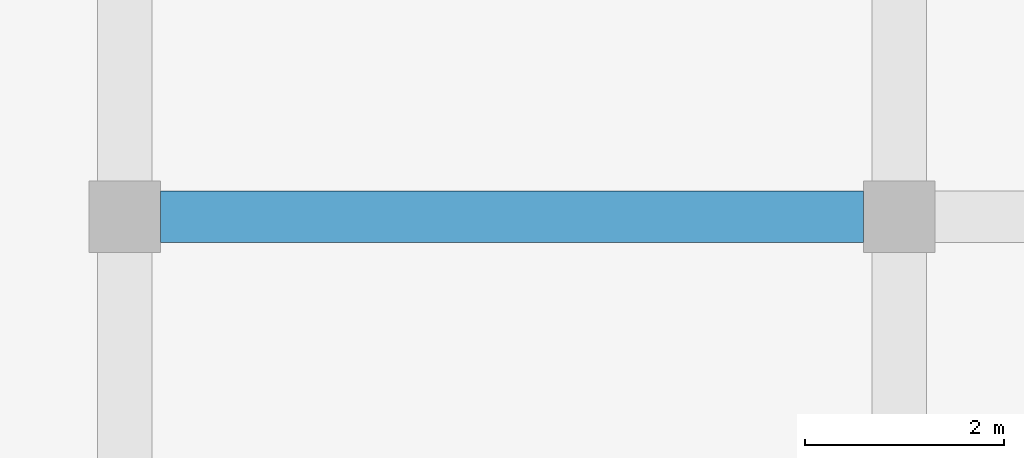
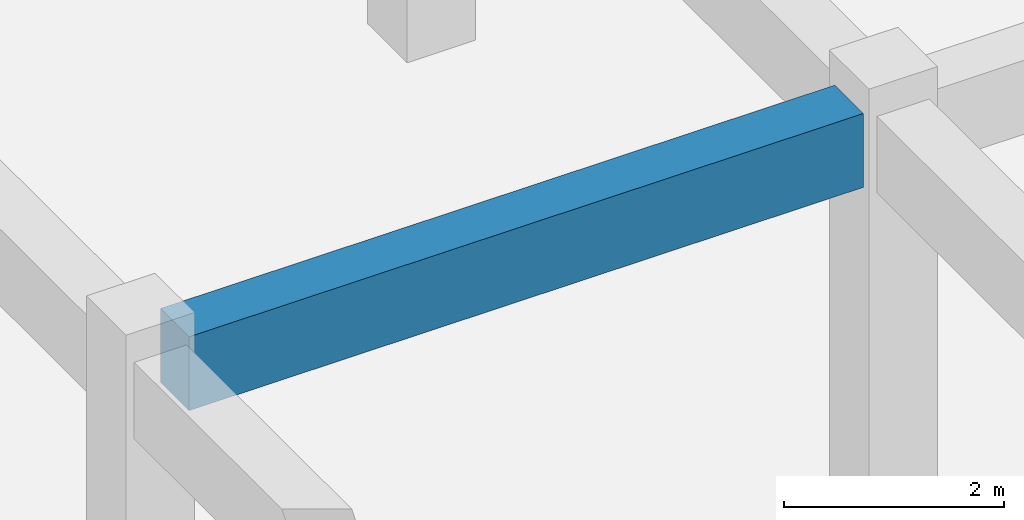
# One storey, part 79 of 139: 1 beam.
"""IFC4 building model written with IfcOpenShell, lengths in metres."""

from ifc_helpers import new_model, si_unit, direction, frame, origin, origin_2d, place, context, subcontext, project, spatial, rectangle, extrude, material, material_profile, profile_set, type_object, element, save


model = new_model("IFC4")

# Units and contexts
model_context = context("Model", 3, precision=1e-05, world=origin(), true_north=direction((0.0, 1.0)))
body_context = subcontext(model_context, "Body", "Model", "MODEL_VIEW")
ifc_project = project(units=[si_unit("LENGTHUNIT", "METRE"), si_unit("AREAUNIT", "SQUARE_METRE"), si_unit("VOLUMEUNIT", "CUBIC_METRE"), si_unit("PLANEANGLEUNIT", "RADIAN"), si_unit("MASSUNIT", "GRAM", prefix="KILO")], contexts=[model_context])

# Site, building, storey
site_placement = place(None, origin())
site = spatial("IfcSite", under=ifc_project, at=site_placement, CompositionType="ELEMENT")
building_placement = place(site_placement, origin())
building = spatial("IfcBuilding", under=site, at=building_placement, Name="Zizhar Promenade General Hospital", CompositionType="ELEMENT")
storey_placement = place(building_placement, origin())
storey = spatial("IfcBuildingStorey", under=building, at=storey_placement, Name="L00", CompositionType="ELEMENT", Elevation=0.0)

# Beam
ifc_material = material(Name="Concrete C35/45", Category="concrete")
ifc_material_profile = material_profile(ifc_material, rectangle(XDim=0.52001953125, YDim=0.820068359375, at=origin_2d()))
ifc_profile_set = profile_set([ifc_material_profile], Name="Concrete C35/45")
beam_type = type_object("IfcBeamType", Name="BM-RC-520x820", PredefinedType="BEAM", material=ifc_profile_set)
beam_placement = place(storey_placement, frame((179.760009765625, 84.0, 4.06005859375), z_axis=(1.0, 0.0, 0.0), x_axis=(0.0, 1.0, 0.0)))
element("IfcBeam", 1, at=beam_placement, inside=storey, type_object=beam_type, Name="Grid Beam X L00 (23-10)", PredefinedType="BEAM", context=body_context, shape_type="SweptSolid", body=[
    extrude(rectangle(XDim=0.52001953125, YDim=0.820068359375, at=origin_2d()), origin(), (0.0, 0.0, 1.0), 7.080078125),
])

save(model, "model.ifc")
